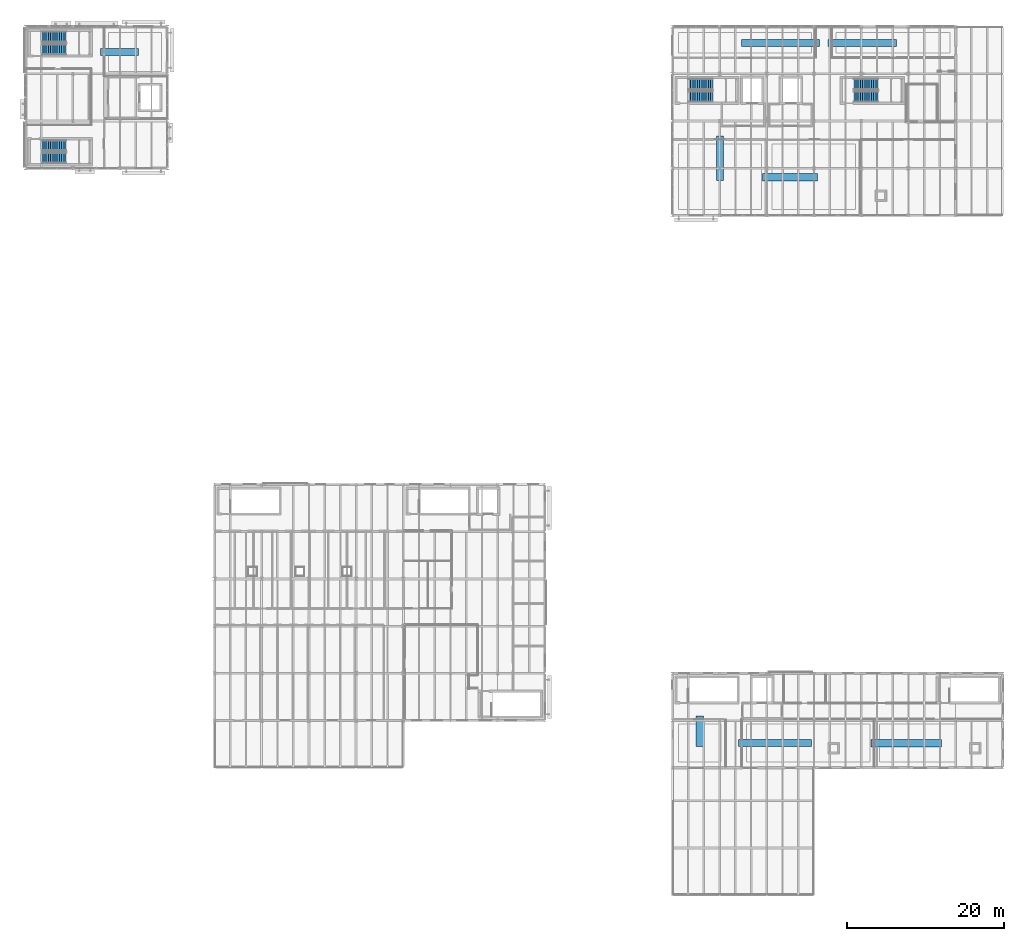
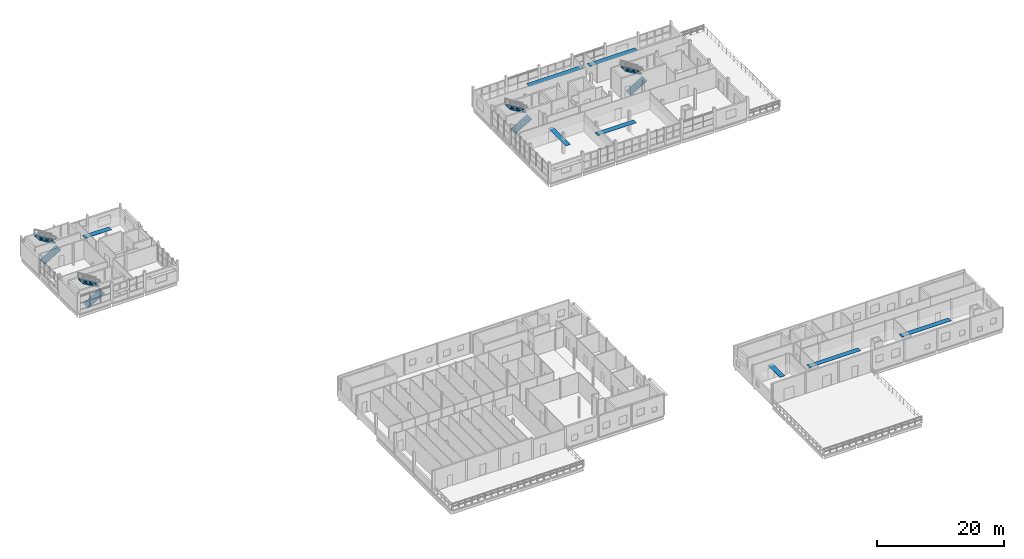
# One storey, part 40 of 45: 8 discrete accessories, 8 stair flights, 4 elements without a shape of their own.
"""IFC4 building model written with IfcOpenShell, lengths in metres."""

from ifc_helpers import new_model, si_unit, direction, frame, origin, origin_2d, place, context, subcontext, project, spatial, polyline, rectangle, outline, extrude, material, type_object, element, aggregate, save


model = new_model("IFC4")

# Units and contexts
model_context = context("Model", 3, precision=1e-05, world=origin(), true_north=direction((0.0, 1.0)))
body_context = subcontext(model_context, "Body", "Model", "MODEL_VIEW")
ifc_project = project(units=[si_unit("LENGTHUNIT", "METRE"), si_unit("AREAUNIT", "SQUARE_METRE"), si_unit("VOLUMEUNIT", "CUBIC_METRE"), si_unit("PLANEANGLEUNIT", "RADIAN"), si_unit("MASSUNIT", "GRAM", prefix="KILO")], contexts=[model_context])

# Site, building, storey
site_placement = place(None, origin())
site = spatial("IfcSite", under=ifc_project, at=site_placement, CompositionType="ELEMENT")
building_placement = place(site_placement, origin())
building = spatial("IfcBuilding", under=site, at=building_placement, Name="Siltcreek Boulevard Central Fire Station", CompositionType="ELEMENT")
storey_placement = place(building_placement, frame((0.0, 0.0, 10.0)))
storey = spatial("IfcBuildingStorey", under=building, at=storey_placement, Name="L03", CompositionType="ELEMENT", Elevation=10.0)

# Stair, stair flights
ifc_material_1 = material(Name="Precast concrete C40/50", Category="concrete")
stair_type = type_object("IfcStairType", Name="ST_DOG_H40", PredefinedType="HALF_TURN_STAIR", material=ifc_material_1)
stair_1_placement = place(storey_placement, origin())
stair_1 = element("IfcStair", 1, at=stair_1_placement, inside=storey, type_object=stair_type, Name="L03 Enclosed exit stairway ST-V3A", PredefinedType="HALF_TURN_STAIR")
stair_flight_type = type_object("IfcStairFlightType", Name="SF_DOG_H40", PredefinedType="STRAIGHT", material=ifc_material_1)
stair_flight_1_placement = place(storey_placement, frame((44.050048828125, 95.5, 0.0), z_axis=(0.0, 0.0, 1.0), x_axis=(1.0, 0.0, 0.0)))
stair_flight_1 = element("IfcStairFlight", 2, at=stair_flight_1_placement, type_object=stair_flight_type, Name="ST-V3A flight 1", NumberOfRisers=12, NumberOfTreads=11, PredefinedType="STRAIGHT", RiserHeight=0.166666667, TreadLength=0.28, context=body_context, shape_type="SweptSolid", body=[
    extrude(outline(polyline([(0.0, 0.0), (0.0, 0.166748046875), (0.280029296875, 0.166748046875), (0.280029296875, 0.333251953125), (0.56005859375, 0.333251953125), (0.56005859375, 0.5), (0.840087890625, 0.5), (0.840087890625, 0.666748046875), (1.1201171875, 0.666748046875), (1.1201171875, 0.833251953125), (1.39990234375, 0.833251953125), (1.39990234375, 1.0), (1.679931640625, 1.0), (1.679931640625, 1.166748046875), (1.9599609375, 1.166748046875), (1.9599609375, 1.333251953125), (2.239990234375, 1.333251953125), (2.239990234375, 1.5), (2.52001953125, 1.5), (2.52001953125, 1.666748046875), (2.800048828125, 1.666748046875), (2.800048828125, 1.833251953125), (3.080078125, 1.833251953125), (3.080078125, 2.0), (3.080078125, 1.647216796875), (0.312744140625, 0.0), (0.0, 0.0)])), frame((0.0, 0.699951171875, 0.0), z_axis=(0.0, -1.0, 0.0), x_axis=(1.0, 0.0, 0.0)), (0.0, 0.0, 1.0), 1.39990234375),
])
stair_flight_2_placement = place(storey_placement, frame((47.1298828125, 97.10009765625, 2.0), z_axis=(0.0, 0.0, 1.0), x_axis=(-1.0, 0.0, 0.0)))
stair_flight_2 = element("IfcStairFlight", 3, at=stair_flight_2_placement, type_object=stair_flight_type, Name="ST-V3A flight 2", NumberOfRisers=12, NumberOfTreads=11, PredefinedType="STRAIGHT", RiserHeight=0.166666667, TreadLength=0.28, context=body_context, shape_type="SweptSolid", body=[
    extrude(outline(polyline([(0.0, 0.0), (0.0, 0.166748046875), (0.280029296875, 0.166748046875), (0.280029296875, 0.333251953125), (0.56005859375, 0.333251953125), (0.56005859375, 0.5), (0.840087890625, 0.5), (0.840087890625, 0.666748046875), (1.1201171875, 0.666748046875), (1.1201171875, 0.833251953125), (1.39990234375, 0.833251953125), (1.39990234375, 1.0), (1.679931640625, 1.0), (1.679931640625, 1.166748046875), (1.9599609375, 1.166748046875), (1.9599609375, 1.333251953125), (2.239990234375, 1.333251953125), (2.239990234375, 1.5), (2.52001953125, 1.5), (2.52001953125, 1.666748046875), (2.800048828125, 1.666748046875), (2.800048828125, 1.833251953125), (3.080078125, 1.833251953125), (3.080078125, 2.0), (3.080078125, 1.647216796875), (0.312744140625, 0.0), (0.0, 0.0)])), frame((0.0, 0.699951171875, 0.0), z_axis=(0.0, -1.0, 0.0), x_axis=(1.0, 0.0, 0.0)), (0.0, 0.0, 1.0), 1.39990234375),
])
aggregate(stair_1, [stair_flight_1, stair_flight_2])

stair_2_placement = place(storey_placement, origin())
stair_2 = element("IfcStair", 4, at=stair_2_placement, inside=storey, type_object=stair_type, Name="L03 Enclosed exit stairway ST-V3B", PredefinedType="HALF_TURN_STAIR")
stair_flight_3_placement = place(storey_placement, frame((44.050048828125, 109.300048828125, 0.0), z_axis=(0.0, 0.0, 1.0), x_axis=(1.0, 0.0, 0.0)))
stair_flight_3 = element("IfcStairFlight", 5, at=stair_flight_3_placement, type_object=stair_flight_type, Name="ST-V3B flight 1", NumberOfRisers=12, NumberOfTreads=11, PredefinedType="STRAIGHT", RiserHeight=0.166666667, TreadLength=0.28, context=body_context, shape_type="SweptSolid", body=[
    extrude(outline(polyline([(0.0, 0.0), (0.0, 0.166748046875), (0.280029296875, 0.166748046875), (0.280029296875, 0.333251953125), (0.56005859375, 0.333251953125), (0.56005859375, 0.5), (0.840087890625, 0.5), (0.840087890625, 0.666748046875), (1.1201171875, 0.666748046875), (1.1201171875, 0.833251953125), (1.39990234375, 0.833251953125), (1.39990234375, 1.0), (1.679931640625, 1.0), (1.679931640625, 1.166748046875), (1.9599609375, 1.166748046875), (1.9599609375, 1.333251953125), (2.239990234375, 1.333251953125), (2.239990234375, 1.5), (2.52001953125, 1.5), (2.52001953125, 1.666748046875), (2.800048828125, 1.666748046875), (2.800048828125, 1.833251953125), (3.080078125, 1.833251953125), (3.080078125, 2.0), (3.080078125, 1.647216796875), (0.312744140625, 0.0), (0.0, 0.0)])), frame((0.0, 0.699951171875, 0.0), z_axis=(0.0, -1.0, 0.0), x_axis=(1.0, 0.0, 0.0)), (0.0, 0.0, 1.0), 1.39990234375),
])
stair_flight_4_placement = place(storey_placement, frame((47.1298828125, 110.89990234375, 2.0), z_axis=(0.0, 0.0, 1.0), x_axis=(-1.0, 0.0, 0.0)))
stair_flight_4 = element("IfcStairFlight", 6, at=stair_flight_4_placement, type_object=stair_flight_type, Name="ST-V3B flight 2", NumberOfRisers=12, NumberOfTreads=11, PredefinedType="STRAIGHT", RiserHeight=0.166666667, TreadLength=0.28, context=body_context, shape_type="SweptSolid", body=[
    extrude(outline(polyline([(0.0, 0.0), (0.0, 0.166748046875), (0.280029296875, 0.166748046875), (0.280029296875, 0.333251953125), (0.56005859375, 0.333251953125), (0.56005859375, 0.5), (0.840087890625, 0.5), (0.840087890625, 0.666748046875), (1.1201171875, 0.666748046875), (1.1201171875, 0.833251953125), (1.39990234375, 0.833251953125), (1.39990234375, 1.0), (1.679931640625, 1.0), (1.679931640625, 1.166748046875), (1.9599609375, 1.166748046875), (1.9599609375, 1.333251953125), (2.239990234375, 1.333251953125), (2.239990234375, 1.5), (2.52001953125, 1.5), (2.52001953125, 1.666748046875), (2.800048828125, 1.666748046875), (2.800048828125, 1.833251953125), (3.080078125, 1.833251953125), (3.080078125, 2.0), (3.080078125, 1.647216796875), (0.312744140625, 0.0), (0.0, 0.0)])), frame((0.0, 0.699951171875, 0.0), z_axis=(0.0, -1.0, 0.0), x_axis=(1.0, 0.0, 0.0)), (0.0, 0.0, 1.0), 1.39990234375),
])
aggregate(stair_2, [stair_flight_3, stair_flight_4])

stair_3_placement = place(storey_placement, origin())
stair_3 = element("IfcStair", 7, at=stair_3_placement, inside=storey, type_object=stair_type, Name="L03 Enclosed exit stairway ST-V5A", PredefinedType="HALF_TURN_STAIR")
stair_flight_5_placement = place(storey_placement, frame((126.25, 103.300048828125, 0.0), z_axis=(0.0, 0.0, 1.0), x_axis=(1.0, 0.0, 0.0)))
stair_flight_5 = element("IfcStairFlight", 8, at=stair_flight_5_placement, type_object=stair_flight_type, Name="ST-V5A flight 1", NumberOfRisers=12, NumberOfTreads=11, PredefinedType="STRAIGHT", RiserHeight=0.166666667, TreadLength=0.28, context=body_context, shape_type="SweptSolid", body=[
    extrude(outline(polyline([(0.0, 0.0), (0.0, 0.166748046875), (0.280029296875, 0.166748046875), (0.280029296875, 0.333251953125), (0.56005859375, 0.333251953125), (0.56005859375, 0.5), (0.840087890625, 0.5), (0.840087890625, 0.666748046875), (1.1201171875, 0.666748046875), (1.1201171875, 0.833251953125), (1.39990234375, 0.833251953125), (1.39990234375, 1.0), (1.679931640625, 1.0), (1.679931640625, 1.166748046875), (1.9599609375, 1.166748046875), (1.9599609375, 1.333251953125), (2.239990234375, 1.333251953125), (2.239990234375, 1.5), (2.52001953125, 1.5), (2.52001953125, 1.666748046875), (2.800048828125, 1.666748046875), (2.800048828125, 1.833251953125), (3.080078125, 1.833251953125), (3.080078125, 2.0), (3.080078125, 1.647216796875), (0.312744140625, 0.0), (0.0, 0.0)])), frame((0.0, 0.699951171875, 0.0), z_axis=(0.0, -1.0, 0.0), x_axis=(1.0, 0.0, 0.0)), (0.0, 0.0, 1.0), 1.39990234375),
])
stair_flight_6_placement = place(storey_placement, frame((129.330078125, 104.89990234375, 2.0), z_axis=(0.0, 0.0, 1.0), x_axis=(-1.0, 0.0, 0.0)))
stair_flight_6 = element("IfcStairFlight", 9, at=stair_flight_6_placement, type_object=stair_flight_type, Name="ST-V5A flight 2", NumberOfRisers=12, NumberOfTreads=11, PredefinedType="STRAIGHT", RiserHeight=0.166666667, TreadLength=0.28, context=body_context, shape_type="SweptSolid", body=[
    extrude(outline(polyline([(0.0, 0.0), (0.0, 0.166748046875), (0.280029296875, 0.166748046875), (0.280029296875, 0.333251953125), (0.56005859375, 0.333251953125), (0.56005859375, 0.5), (0.840087890625, 0.5), (0.840087890625, 0.666748046875), (1.1201171875, 0.666748046875), (1.1201171875, 0.833251953125), (1.39990234375, 0.833251953125), (1.39990234375, 1.0), (1.679931640625, 1.0), (1.679931640625, 1.166748046875), (1.9599609375, 1.166748046875), (1.9599609375, 1.333251953125), (2.239990234375, 1.333251953125), (2.239990234375, 1.5), (2.52001953125, 1.5), (2.52001953125, 1.666748046875), (2.800048828125, 1.666748046875), (2.800048828125, 1.833251953125), (3.080078125, 1.833251953125), (3.080078125, 2.0), (3.080078125, 1.647216796875), (0.312744140625, 0.0), (0.0, 0.0)])), frame((0.0, 0.699951171875, 0.0), z_axis=(0.0, -1.0, 0.0), x_axis=(1.0, 0.0, 0.0)), (0.0, 0.0, 1.0), 1.39990234375),
])
aggregate(stair_3, [stair_flight_5, stair_flight_6])

stair_4_placement = place(storey_placement, origin())
stair_4 = element("IfcStair", 10, at=stair_4_placement, inside=storey, type_object=stair_type, Name="L03 Enclosed exit stairway ST-V5B", PredefinedType="HALF_TURN_STAIR")
stair_flight_7_placement = place(storey_placement, frame((147.25, 103.300048828125, 0.0), z_axis=(0.0, 0.0, 1.0), x_axis=(1.0, 0.0, 0.0)))
stair_flight_7 = element("IfcStairFlight", 11, at=stair_flight_7_placement, type_object=stair_flight_type, Name="ST-V5B flight 1", NumberOfRisers=12, NumberOfTreads=11, PredefinedType="STRAIGHT", RiserHeight=0.166666667, TreadLength=0.28, context=body_context, shape_type="SweptSolid", body=[
    extrude(outline(polyline([(0.0, 0.0), (0.0, 0.166748046875), (0.280029296875, 0.166748046875), (0.280029296875, 0.333251953125), (0.56005859375, 0.333251953125), (0.56005859375, 0.5), (0.840087890625, 0.5), (0.840087890625, 0.666748046875), (1.1201171875, 0.666748046875), (1.1201171875, 0.833251953125), (1.39990234375, 0.833251953125), (1.39990234375, 1.0), (1.679931640625, 1.0), (1.679931640625, 1.166748046875), (1.9599609375, 1.166748046875), (1.9599609375, 1.333251953125), (2.239990234375, 1.333251953125), (2.239990234375, 1.5), (2.52001953125, 1.5), (2.52001953125, 1.666748046875), (2.800048828125, 1.666748046875), (2.800048828125, 1.833251953125), (3.080078125, 1.833251953125), (3.080078125, 2.0), (3.080078125, 1.647216796875), (0.312744140625, 0.0), (0.0, 0.0)])), frame((0.0, 0.699951171875, 0.0), z_axis=(0.0, -1.0, 0.0), x_axis=(1.0, 0.0, 0.0)), (0.0, 0.0, 1.0), 1.39990234375),
])
stair_flight_8_placement = place(storey_placement, frame((150.330078125, 104.89990234375, 2.0), z_axis=(0.0, 0.0, 1.0), x_axis=(-1.0, 0.0, 0.0)))
stair_flight_8 = element("IfcStairFlight", 12, at=stair_flight_8_placement, type_object=stair_flight_type, Name="ST-V5B flight 2", NumberOfRisers=12, NumberOfTreads=11, PredefinedType="STRAIGHT", RiserHeight=0.166666667, TreadLength=0.28, context=body_context, shape_type="SweptSolid", body=[
    extrude(outline(polyline([(0.0, 0.0), (0.0, 0.166748046875), (0.280029296875, 0.166748046875), (0.280029296875, 0.333251953125), (0.56005859375, 0.333251953125), (0.56005859375, 0.5), (0.840087890625, 0.5), (0.840087890625, 0.666748046875), (1.1201171875, 0.666748046875), (1.1201171875, 0.833251953125), (1.39990234375, 0.833251953125), (1.39990234375, 1.0), (1.679931640625, 1.0), (1.679931640625, 1.166748046875), (1.9599609375, 1.166748046875), (1.9599609375, 1.333251953125), (2.239990234375, 1.333251953125), (2.239990234375, 1.5), (2.52001953125, 1.5), (2.52001953125, 1.666748046875), (2.800048828125, 1.666748046875), (2.800048828125, 1.833251953125), (3.080078125, 1.833251953125), (3.080078125, 2.0), (3.080078125, 1.647216796875), (0.312744140625, 0.0), (0.0, 0.0)])), frame((0.0, 0.699951171875, 0.0), z_axis=(0.0, -1.0, 0.0), x_axis=(1.0, 0.0, 0.0)), (0.0, 0.0, 1.0), 1.39990234375),
])
aggregate(stair_4, [stair_flight_7, stair_flight_8])

# Discrete accessories
ifc_material_2 = material(Name="Hot-dip galvanized steel facade outrigger bracket", Category="steel")
discrete_accessory_type = type_object("IfcDiscreteAccessoryType", Name="ACC_BRACKET", PredefinedType="BRACKET", material=ifc_material_2)
discrete_accessory_1_placement = place(storey_placement, frame((53.927490234375, 108.980712890625, 2.411865234375), z_axis=(0.0, 0.0, 1.0), x_axis=(1.0, 0.0, 0.0)))
element("IfcDiscreteAccessory", 13, at=discrete_accessory_1_placement, inside=storey, type_object=discrete_accessory_type, Name="L03 acoustic ceiling wall ledger bracket 027", PredefinedType="BRACKET", context=body_context, shape_type="SweptSolid", body=[
    extrude(rectangle(XDim=4.8349609375, YDim=0.911376953125, at=origin_2d()), origin(), (0.0, 0.0, 1.0), 0.0400390625),
])
discrete_accessory_2_placement = place(storey_placement, frame((130.228759765625, 95.472412109375, 2.411865234375), z_axis=(0.0, 0.0, 1.0), x_axis=(1.0, 0.0, 0.0)))
element("IfcDiscreteAccessory", 14, at=discrete_accessory_2_placement, inside=storey, type_object=discrete_accessory_type, Name="L03 acoustic ceiling wall ledger bracket 028", PredefinedType="BRACKET", context=body_context, shape_type="SweptSolid", body=[
    extrude(rectangle(XDim=0.907470703125, YDim=5.635009765625, at=origin_2d()), origin(), (0.0, 0.0, 1.0), 0.0400390625),
])
discrete_accessory_3_placement = place(storey_placement, frame((139.12744140625, 93.078857421875, 2.411865234375), z_axis=(0.0, 0.0, 1.0), x_axis=(1.0, 0.0, 0.0)))
element("IfcDiscreteAccessory", 15, at=discrete_accessory_3_placement, inside=storey, type_object=discrete_accessory_type, Name="L03 acoustic ceiling wall ledger bracket 029", PredefinedType="BRACKET", context=body_context, shape_type="SweptSolid", body=[
    extrude(rectangle(XDim=6.9951171875, YDim=0.952392578125, at=origin_2d()), origin(), (0.0, 0.0, 1.0), 0.0400390625),
])
discrete_accessory_4_placement = place(storey_placement, frame((137.927490234375, 110.140625, 2.411865234375), z_axis=(0.0, 0.0, 1.0), x_axis=(1.0, 0.0, 0.0)))
element("IfcDiscreteAccessory", 16, at=discrete_accessory_4_placement, inside=storey, type_object=discrete_accessory_type, Name="L03 acoustic ceiling wall ledger bracket 030", PredefinedType="BRACKET", context=body_context, shape_type="SweptSolid", body=[
    extrude(rectangle(XDim=9.905029296875, YDim=0.911376953125, at=origin_2d()), origin(), (0.0, 0.0, 1.0), 0.0400390625),
])
discrete_accessory_5_placement = place(storey_placement, frame((148.33740234375, 110.140625, 2.411865234375), z_axis=(0.0, 0.0, 1.0), x_axis=(1.0, 0.0, 0.0)))
element("IfcDiscreteAccessory", 17, at=discrete_accessory_5_placement, inside=storey, type_object=discrete_accessory_type, Name="L03 acoustic ceiling wall ledger bracket 031", PredefinedType="BRACKET", context=body_context, shape_type="SweptSolid", body=[
    extrude(rectangle(XDim=8.695068359375, YDim=0.911376953125, at=origin_2d()), origin(), (0.0, 0.0, 1.0), 0.0400390625),
])
discrete_accessory_6_placement = place(storey_placement, frame((127.671875, 22.66259765625, 2.411865234375), z_axis=(0.0, 0.0, 1.0), x_axis=(1.0, 0.0, 0.0)))
element("IfcDiscreteAccessory", 18, at=discrete_accessory_6_placement, inside=storey, type_object=discrete_accessory_type, Name="L03 acoustic ceiling wall ledger bracket 032", PredefinedType="BRACKET", context=body_context, shape_type="SweptSolid", body=[
    extrude(rectangle(XDim=0.936279296875, YDim=3.89501953125, at=origin_2d()), origin(), (0.0, 0.0, 1.0), 0.0400390625),
])
discrete_accessory_7_placement = place(storey_placement, frame((137.235107421875, 21.16064453125, 2.411865234375), z_axis=(0.0, 0.0, 1.0), x_axis=(1.0, 0.0, 0.0)))
element("IfcDiscreteAccessory", 19, at=discrete_accessory_7_placement, inside=storey, type_object=discrete_accessory_type, Name="L03 acoustic ceiling wall ledger bracket 033", PredefinedType="BRACKET", context=body_context, shape_type="SweptSolid", body=[
    extrude(rectangle(XDim=9.330078125, YDim=0.90869140625, at=origin_2d()), origin(), (0.0, 0.0, 1.0), 0.0400390625),
])
discrete_accessory_8_placement = place(storey_placement, frame((153.9150390625, 21.14306640625, 2.411865234375), z_axis=(0.0, 0.0, 1.0), x_axis=(1.0, 0.0, 0.0)))
element("IfcDiscreteAccessory", 20, at=discrete_accessory_8_placement, inside=storey, type_object=discrete_accessory_type, Name="L03 acoustic ceiling wall ledger bracket 034", PredefinedType="BRACKET", context=body_context, shape_type="SweptSolid", body=[
    extrude(rectangle(XDim=8.969970703125, YDim=0.943603515625, at=origin_2d()), origin(), (0.0, 0.0, 1.0), 0.0400390625),
])

save(model, "model.ifc")
